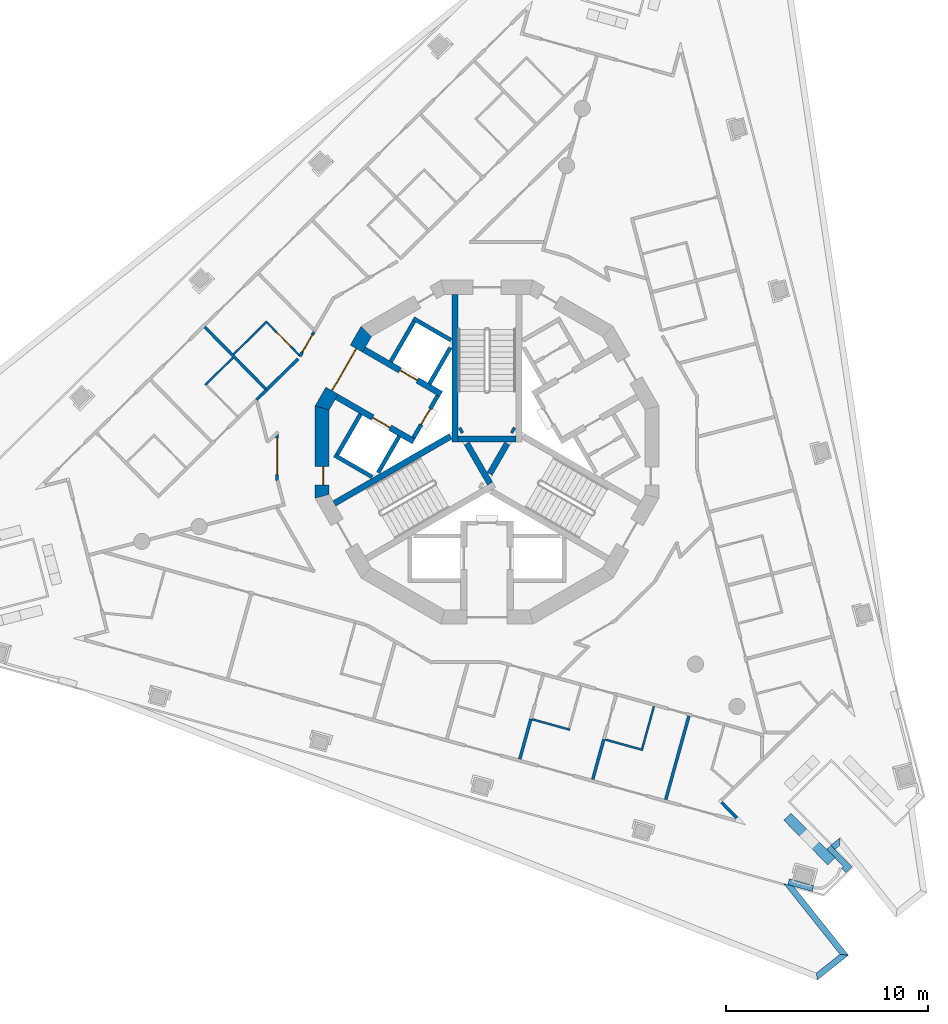
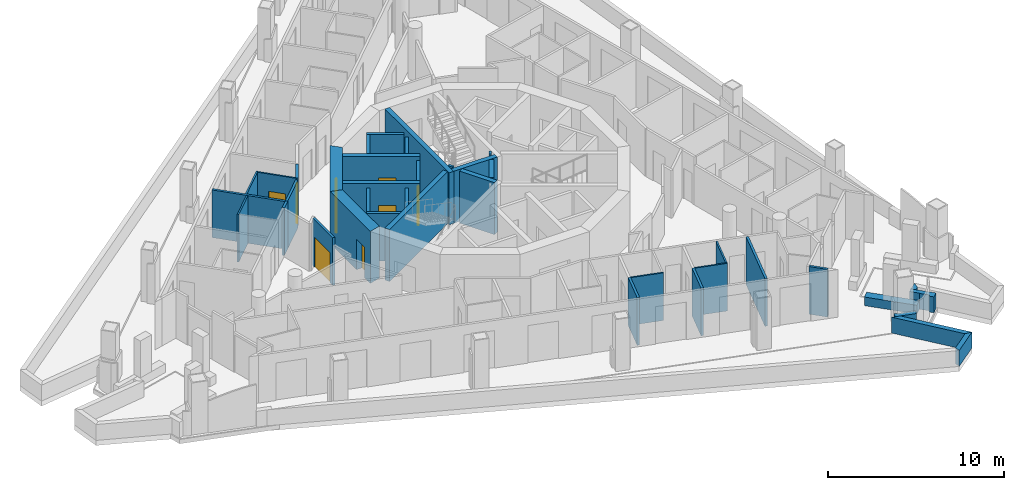
# One storey, part 4 of 14: 39 walls, 8 doors, 8 openings.
"""IFC4 building model written with IfcOpenShell, lengths in metres."""

from ifc_helpers import new_model, si_unit, direction, frame, frame_2d, origin, place, context, subcontext, project, spatial, polyline, rectangle, outline, extrude, material, layer, layer_set, type_object, element, fill, save


model = new_model("IFC4")

# Units and contexts
model_context = context("Model", 3, precision=1e-05, world=origin(), true_north=direction((0.0, 1.0)))
body_context = subcontext(model_context, "Body", "Model", "MODEL_VIEW")
ifc_project = project(units=[si_unit("LENGTHUNIT", "METRE"), si_unit("AREAUNIT", "SQUARE_METRE"), si_unit("VOLUMEUNIT", "CUBIC_METRE"), si_unit("PLANEANGLEUNIT", "RADIAN"), si_unit("MASSUNIT", "GRAM", prefix="KILO")], contexts=[model_context])

# Site, building, storey
site_placement = place(None, origin())
site = spatial("IfcSite", under=ifc_project, at=site_placement, CompositionType="ELEMENT")
building_placement = place(site_placement, origin())
building = spatial("IfcBuilding", under=site, at=building_placement, Name="Trine Commons Tower", CompositionType="ELEMENT")
storey_placement = place(building_placement, frame((0.0, 0.0, 234.89990234375)))
storey = spatial("IfcBuildingStorey", under=building, at=storey_placement, Name="L61", CompositionType="ELEMENT", Elevation=234.89990234375)

# Wall
ifc_material_1 = material(Name="Aluminium-framed insulated wall panel", Category="aluminium")
ifc_layer_1 = layer(ifc_material_1, 0.14990234375)
ifc_layer_set_1 = layer_set([ifc_layer_1], Name="Aluminium-framed insulated wall panel")
wall_type_1 = type_object("IfcWallType", Name="Glazed frame wall 150, EI 60", PredefinedType="SOLIDWALL", material=ifc_layer_set_1)
wall_1_placement = place(storey_placement, frame((91.510498046875, 45.2724609375, 0.0), z_axis=(0.0, 0.0, 1.0), x_axis=(0.700999978355, -0.71316129336, 0.0)))
element("IfcWall", 1, at=wall_1_placement, inside=storey, type_object=wall_type_1, Name="Glazed frame wall R8", PredefinedType="SOLIDWALL", context=body_context, shape_type="SweptSolid", body=[
    extrude(outline(polyline([(0.110107421875, 0.074951171875), (0.110107421875, -0.074951171875), (1.19580078125, -0.074951171875), (1.19580078125, 0.074951171875), (0.110107421875, 0.074951171875)])), origin(), (0.0, 0.0, 1.0), 3.300048828125),
])

# Wall, opening, door
ifc_material_2 = material(Name="Fire-rated gypsum shaft wall system")
ifc_layer_2 = layer(ifc_material_2, 0.199951171875)
ifc_layer_set_2 = layer_set([ifc_layer_2], Name="Fire-rated gypsum shaft wall system")
wall_type_2 = type_object("IfcWallType", Name="Lobby end wall 200 mm, EI 120", PredefinedType="PARTITIONING", material=ifc_layer_set_2)
wall_2_placement = place(storey_placement, frame((77.569091796875, 65.2890625, 0.0), z_axis=(0.0, 0.0, 1.0), x_axis=(-0.50012165622, -0.865955154139, 0.0)))
wall_2 = element("IfcWall", 2, at=wall_2_placement, inside=storey, type_object=wall_type_2, Name="Lobby end wall L61", PredefinedType="PARTITIONING", context=body_context, shape_type="SweptSolid", body=[
    extrude(rectangle(XDim=2.39990234375, YDim=0.199951171875, at=frame_2d((1.199951171875, 0.0))), origin(), (0.0, 0.0, 1.0), 3.300048828125),
])
opening_1_placement = place(wall_2_placement, frame((0.749755859375, 0.0, 0.0)))
opening_1 = element("IfcOpeningElement", 3, at=opening_1_placement, cuts=wall_2, Name="Opening K15.07", PredefinedType="OPENING", context=body_context, shape_type="SweptSolid", body=[
    extrude(rectangle(XDim=0.89990234375, YDim=2.10009765625, at=frame_2d((0.449951171875, 1.050048828125))), frame((0.0, 0.10986328125, 0.0), z_axis=(0.0, -1.0, 0.0), x_axis=(1.0, 0.0, 0.0)), (0.0, 0.0, 1.0), 0.219970703125),
])
ifc_material_3 = material(Name="Steel door leaf, fire-rated", Category="steel")
door_type_1 = type_object("IfcDoorType", Name="Riser access door, single leaf 900 x 2100, FD60", OperationType="SINGLE_SWING_LEFT", PredefinedType="DOOR", material=ifc_material_3)
door_1_placement = place(opening_1_placement, frame((0.89990234375, 0.0, 0.0), z_axis=(0.0, 0.0, 1.0), x_axis=(-1.0, 0.0, 0.0)))
door_1 = element("IfcDoor", 4, at=door_1_placement, inside=storey, type_object=door_type_1, Name="Riser door, Mechanical riser L61", OperationType="SINGLE_SWING_RIGHT", OverallHeight=2.10009765625, OverallWidth=0.89990234375, PredefinedType="DOOR", context=body_context, shape_type="SweptSolid", body=[
    extrude(rectangle(XDim=0.89990234375, YDim=2.10009765625, at=frame_2d((0.449951171875, 1.050048828125))), frame((0.0, 0.02490234375, 0.0), z_axis=(0.0, -1.0, 0.0), x_axis=(1.0, 0.0, 0.0)), (0.0, 0.0, 1.0), 0.050048828125),
])
fill(opening_1, door_1)

# Wall
ifc_material_4 = material(Name="Planter trough, precast concrete C40/50", Category="concrete")
ifc_layer_3 = layer(ifc_material_4, 0.5)
ifc_layer_set_3 = layer_set([ifc_layer_3], Name="Planter trough, precast concrete C40/50")
wall_type_3 = type_object("IfcWallType", Name="Planter trough 500x600", PredefinedType="PARAPET", material=ifc_layer_set_3)
wall_3_placement = place(storey_placement, frame((94.844970703125, 44.4833984375, 0.0), z_axis=(0.0, 0.0, 1.0), x_axis=(0.700857613291, -0.713301202784, 0.0)))
element("IfcWall", 5, at=wall_3_placement, inside=storey, type_object=wall_type_3, Name="Planter 9", PredefinedType="PARAPET", context=body_context, shape_type="SweptSolid", body=[
    extrude(rectangle(XDim=3.099853515625, YDim=0.5, at=frame_2d((1.5498046875, 0.0))), origin(), (0.0, 0.0, 1.0), 0.60009765625),
])

# Wall, opening, door
ifc_material_5 = material(Name="Concrete C50/60", Category="concrete")
ifc_layer_4 = layer(ifc_material_5, 0.300048828125)
ifc_layer_set_4 = layer_set([ifc_layer_4], Name="Concrete C50/60")
wall_type_4 = type_object("IfcWallType", Name="RC shear wall 300 mm, C50/60", PredefinedType="SHEAR", material=ifc_layer_set_4)
wall_4_placement = place(storey_placement, frame((76.381103515625, 63.031005859375, 0.0), z_axis=(0.0, 0.0, 1.0), x_axis=(-0.866059941101, 0.499940174841, 0.0)))
wall_4 = element("IfcWall", 6, at=wall_4_placement, inside=storey, type_object=wall_type_4, Name="Core cross wall SWC-01 L61", PredefinedType="SHEAR", context=body_context, shape_type="SweptSolid", body=[
    extrude(rectangle(XDim=4.400390625, YDim=0.300048828125, at=frame_2d((2.2001953125, 0.0))), origin(), (0.0, 0.0, 1.0), 3.60009765625),
])
opening_2_placement = place(wall_4_placement, frame((1.350341796875, 0.0, 0.0)))
opening_2 = element("IfcOpeningElement", 7, at=opening_2_placement, cuts=wall_4, Name="Opening LD7", PredefinedType="OPENING", context=body_context, shape_type="SweptSolid", body=[
    extrude(rectangle(XDim=1.0, YDim=2.10009765625, at=frame_2d((0.5, 1.050048828125))), frame((0.0, 0.159912109375, 0.0), z_axis=(0.0, -1.0, 0.0), x_axis=(1.0, 0.0, 0.0)), (0.0, 0.0, 1.0), 0.320068359375),
])
ifc_material_6 = material(Name="Stainless steel sliding door leaves", Category="steel")
door_type_2 = type_object("IfcDoorType", Name="Lift landing door, centre-opening sliding 1000 x 2100, FD90", OperationType="DOUBLE_DOOR_SLIDING", PredefinedType="DOOR", material=ifc_material_6)
door_2_placement = place(opening_2_placement, origin())
door_2 = element("IfcDoor", 8, at=door_2_placement, inside=storey, type_object=door_type_2, Name="Lift landing door HR3 L61", OperationType="DOUBLE_DOOR_SLIDING", OverallHeight=2.10009765625, OverallWidth=1.0, PredefinedType="DOOR", context=body_context, shape_type="SweptSolid", body=[
    extrude(rectangle(XDim=1.0, YDim=2.10009765625, at=frame_2d((0.5, 1.050048828125))), frame((0.0, 0.02490234375, 0.0), z_axis=(0.0, -1.0, 0.0), x_axis=(1.0, 0.0, 0.0)), (0.0, 0.0, 1.0), 0.050048828125),
])
fill(opening_2, door_2)

wall_5_placement = place(storey_placement, frame((77.73095703125, 65.368896484375, 0.0), z_axis=(0.0, 0.0, 1.0), x_axis=(-0.866035918664, 0.499981787252, 0.0)))
wall_5 = element("IfcWall", 9, at=wall_5_placement, inside=storey, type_object=wall_type_4, Name="Core cross wall SWC-02 L61", PredefinedType="SHEAR", context=body_context, shape_type="SweptSolid", body=[
    extrude(rectangle(XDim=4.400634765625, YDim=0.300048828125, at=frame_2d((2.2001953125, 0.0))), origin(), (0.0, 0.0, 1.0), 3.60009765625),
])
opening_3_placement = place(wall_5_placement, frame((1.3505859375, 0.0, 0.0)))
opening_3 = element("IfcOpeningElement", 10, at=opening_3_placement, cuts=wall_5, Name="Opening LD8", PredefinedType="OPENING", context=body_context, shape_type="SweptSolid", body=[
    extrude(rectangle(XDim=1.0, YDim=2.10009765625, at=frame_2d((0.5, 1.050048828125))), frame((0.0, 0.159912109375, 0.0), z_axis=(0.0, -1.0, 0.0), x_axis=(1.0, 0.0, 0.0)), (0.0, 0.0, 1.0), 0.320068359375),
])
door_3_placement = place(opening_3_placement, origin())
door_3 = element("IfcDoor", 11, at=door_3_placement, inside=storey, type_object=door_type_2, Name="Lift landing door HR4 L61", OperationType="DOUBLE_DOOR_SLIDING", OverallHeight=2.10009765625, OverallWidth=1.0, PredefinedType="DOOR", context=body_context, shape_type="SweptSolid", body=[
    extrude(rectangle(XDim=1.0, YDim=2.10009765625, at=frame_2d((0.5, 1.050048828125))), frame((0.0, 0.02490234375, 0.0), z_axis=(0.0, -1.0, 0.0), x_axis=(1.0, 0.0, 0.0)), (0.0, 0.0, 1.0), 0.050048828125),
])
fill(opening_3, door_3)

# Walls
wall_6_placement = place(storey_placement, frame((78.199951171875, 63.280029296875, 0.0), z_axis=(0.0, 0.0, 1.0), x_axis=(-0.866009627307, -0.500027324665, 0.0)))
element("IfcWall", 12, at=wall_6_placement, inside=storey, type_object=wall_type_4, Name="Core cross wall SWC-07 L61", PredefinedType="SHEAR", context=body_context, shape_type="SweptSolid", body=[
    extrude(rectangle(XDim=6.631591796875, YDim=0.300048828125, at=frame_2d((3.31591796875, 0.0))), origin(), (0.0, 0.0, 1.0), 3.60009765625),
])
wall_7_placement = place(storey_placement, frame((78.425048828125, 63.0009765625, 0.0), z_axis=(0.0, 0.0, 1.0), x_axis=(0.0, 1.0, 0.0)))
element("IfcWall", 13, at=wall_7_placement, inside=storey, type_object=wall_type_4, Name="Core cross wall SWC-08 L61", PredefinedType="SHEAR", context=body_context, shape_type="SweptSolid", body=[
    extrude(rectangle(XDim=7.299072265625, YDim=0.300048828125, at=frame_2d((3.6494140625, 0.0))), origin(), (0.0, 0.0, 1.0), 3.60009765625),
])
wall_8_placement = place(storey_placement, frame((78.779052734375, 63.614013671875, 0.0), z_axis=(0.0, 0.0, 1.0), x_axis=(-0.867737973955, -0.497021939713, 0.0)))
element("IfcWall", 14, at=wall_8_placement, inside=storey, type_object=wall_type_4, Name="Core cross wall SWC-09 L61", PredefinedType="SHEAR", context=body_context, shape_type="SweptSolid", body=[
    extrude(rectangle(XDim=0.14892578125, YDim=0.300048828125, at=frame_2d((0.074462890625, 0.0))), origin(), (0.0, 0.0, 1.0), 3.60009765625),
])
wall_9_placement = place(storey_placement, frame((79.0029296875, 62.926025390625, 0.0), z_axis=(0.0, 0.0, 1.0), x_axis=(0.499965247104, -0.866045467449, 0.0)))
element("IfcWall", 15, at=wall_9_placement, inside=storey, type_object=wall_type_4, Name="Core cross wall SWC-10 L61", PredefinedType="SHEAR", context=body_context, shape_type="SweptSolid", body=[
    extrude(rectangle(XDim=2.292236328125, YDim=0.300048828125, at=frame_2d((1.14599609375, 0.0))), origin(), (0.0, 0.0, 1.0), 3.60009765625),
])
wall_10_placement = place(storey_placement, frame((80.1298828125, 61.424072265625, 0.0), z_axis=(0.0, 0.0, 1.0), x_axis=(0.500014901547, 0.866016800201, 0.0)))
element("IfcWall", 16, at=wall_10_placement, inside=storey, type_object=wall_type_4, Name="Core cross wall SWC-12 L61", PredefinedType="SHEAR", context=body_context, shape_type="SweptSolid", body=[
    extrude(rectangle(XDim=1.734375, YDim=0.300048828125, at=frame_2d((0.8671875, 0.0))), origin(), (0.0, 0.0, 1.0), 3.60009765625),
])
wall_11_placement = place(storey_placement, frame((81.220947265625, 63.614013671875, 0.0), z_axis=(0.0, 0.0, 1.0), x_axis=(0.867737973955, -0.497021939713, 0.0)))
element("IfcWall", 17, at=wall_11_placement, inside=storey, type_object=wall_type_4, Name="Core cross wall SWC-15 L61", PredefinedType="SHEAR", context=body_context, shape_type="SweptSolid", body=[
    extrude(rectangle(XDim=0.14892578125, YDim=0.300048828125, at=frame_2d((0.074462890625, 0.0))), origin(), (0.0, 0.0, 1.0), 3.60009765625),
])
wall_12_placement = place(storey_placement, frame((81.425048828125, 63.15087890625, 0.0), z_axis=(0.0, 0.0, 1.0), x_axis=(-1.0, 0.0, 0.0)))
element("IfcWall", 18, at=wall_12_placement, inside=storey, type_object=wall_type_4, Name="Core cross wall SWC-16 L61", PredefinedType="SHEAR", context=body_context, shape_type="SweptSolid", body=[
    extrude(rectangle(XDim=2.85009765625, YDim=0.300048828125, at=frame_2d((1.425048828125, 0.0))), origin(), (0.0, 0.0, 1.0), 3.60009765625),
])

# Wall, opening, door
ifc_layer_5 = layer(ifc_material_5, 0.699951171875)
ifc_layer_set_5 = layer_set([ifc_layer_5], Name="Concrete C50/60")
wall_type_5 = type_object("IfcWallType", Name="RC shear wall 700 mm, C50/60", PredefinedType="SHEAR", material=ifc_layer_set_5)
wall_13_placement = place(storey_placement, frame((74.08056640625, 68.547607421875, 0.0), z_axis=(0.0, 0.0, 1.0), x_axis=(-0.499983800959, -0.866034756103, 0.0)))
wall_13 = element("IfcWall", 19, at=wall_13_placement, inside=storey, type_object=wall_type_5, Name="Core wall CWG-06 L61", PredefinedType="SHEAR", context=body_context, shape_type="SweptSolid", body=[
    extrude(outline(polyline([(0.0, -0.35009765625), (4.55517578125, -0.35009765625), (4.36767578125, 0.35009765625), (0.1875, 0.35009765625), (0.0, -0.35009765625)])), origin(), (0.0, 0.0, 1.0), 3.60009765625),
])
opening_4_placement = place(wall_13_placement, frame((1.077392578125, 0.0, 0.0)))
opening_4 = element("IfcOpeningElement", 20, at=opening_4_placement, cuts=wall_13, Name="Opening K15.06", PredefinedType="OPENING", context=body_context, shape_type="SweptSolid", body=[
    extrude(rectangle(XDim=2.39990234375, YDim=2.10009765625, at=frame_2d((1.199951171875, 1.050048828125))), frame((0.0, 0.35986328125, 0.0), z_axis=(0.0, -1.0, 0.0), x_axis=(1.0, 0.0, 0.0)), (0.0, 0.0, 1.0), 0.719970703125),
])
ifc_material_7 = material(Name="Steel door leaves, fire-rated", Category="steel")
door_type_3 = type_object("IfcDoorType", Name="Lobby door, double leaf 2400 x 2100, FD60", OperationType="DOUBLE_DOOR_SINGLE_SWING", PredefinedType="DOOR", material=ifc_material_7)
door_4_placement = place(opening_4_placement, origin())
door_4 = element("IfcDoor", 21, at=door_4_placement, inside=storey, type_object=door_type_3, Name="Lobby door, Passenger lift lobby B L61", OperationType="DOUBLE_DOOR_SINGLE_SWING", OverallHeight=2.10009765625, OverallWidth=2.39990234375, PredefinedType="DOOR", context=body_context, shape_type="SweptSolid", body=[
    extrude(rectangle(XDim=2.39990234375, YDim=2.10009765625, at=frame_2d((1.199951171875, 1.050048828125))), frame((0.0, 0.02490234375, 0.0), z_axis=(0.0, -1.0, 0.0), x_axis=(1.0, 0.0, 0.0)), (0.0, 0.0, 1.0), 0.050048828125),
])
fill(opening_4, door_4)

wall_14_placement = place(storey_placement, frame((71.849853515625, 64.777587890625, 0.0), z_axis=(0.0, 0.0, 1.0), x_axis=(0.0, -1.0, 0.0)))
wall_14 = element("IfcWall", 22, at=wall_14_placement, inside=storey, type_object=wall_type_5, Name="Core wall CWG-07 L61", PredefinedType="SHEAR", context=body_context, shape_type="SweptSolid", body=[
    extrude(outline(polyline([(0.0, -0.35009765625), (4.55517578125, -0.35009765625), (4.36767578125, 0.35009765625), (0.1875, 0.35009765625), (0.0, -0.35009765625)])), origin(), (0.0, 0.0, 1.0), 3.60009765625),
])
opening_5_placement = place(wall_14_placement, frame((2.99169921875, 0.0, 0.0)))
opening_5 = element("IfcOpeningElement", 23, at=opening_5_placement, cuts=wall_14, Name="Opening K15.16", PredefinedType="OPENING", context=body_context, shape_type="SweptSolid", body=[
    extrude(rectangle(XDim=0.89990234375, YDim=2.10009765625, at=frame_2d((0.449951171875, 1.050048828125))), frame((0.0, 0.35986328125, 0.0), z_axis=(0.0, -1.0, 0.0), x_axis=(1.0, 0.0, 0.0)), (0.0, 0.0, 1.0), 0.719970703125),
])
door_type_4 = type_object("IfcDoorType", Name="Core room door, single leaf 900 x 2100, FD30S", OperationType="SINGLE_SWING_LEFT", PredefinedType="DOOR", material=ifc_material_3)
door_5_placement = place(opening_5_placement, origin())
door_5 = element("IfcDoor", 24, at=door_5_placement, inside=storey, type_object=door_type_4, Name="Door to Pantry L61", OperationType="SINGLE_SWING_RIGHT", OverallHeight=2.10009765625, OverallWidth=0.89990234375, PredefinedType="DOOR", context=body_context, shape_type="SweptSolid", body=[
    extrude(rectangle(XDim=0.89990234375, YDim=2.10009765625, at=frame_2d((0.449951171875, 1.050048828125))), frame((0.0, 0.0751953125, 0.0), z_axis=(0.0, -1.0, 0.0), x_axis=(1.0, 0.0, 0.0)), (0.0, 0.0, 1.0), 0.050048828125),
])
fill(opening_5, door_5)

# Walls
ifc_layer_6 = layer(ifc_material_2, 0.199951171875)
ifc_layer_set_6 = layer_set([ifc_layer_6], Name="Fire-rated gypsum shaft wall system")
wall_type_6 = type_object("IfcWallType", Name="Shaft wall 200 mm, EI 120", PredefinedType="PARTITIONING", material=ifc_layer_set_6)
wall_15_placement = place(storey_placement, frame((73.7509765625, 64.3759765625, 0.0), z_axis=(0.0, 0.0, 1.0), x_axis=(-0.500136062276, -0.86594683394, 0.0)))
element("IfcWall", 25, at=wall_15_placement, inside=storey, type_object=wall_type_6, Name="Shaft wall L61", PredefinedType="PARTITIONING", context=body_context, shape_type="SweptSolid", body=[
    extrude(rectangle(XDim=2.299072265625, YDim=0.199951171875, at=frame_2d((1.1494140625, 0.0))), origin(), (0.0, 0.0, 1.0), 3.300048828125),
])
wall_16_placement = place(storey_placement, frame((74.324951171875, 61.27392578125, 0.0), z_axis=(0.0, 0.0, 1.0), x_axis=(-0.866102336459, 0.499866725018, 0.0)))
element("IfcWall", 26, at=wall_16_placement, inside=storey, type_object=wall_type_6, Name="Shaft wall L61", PredefinedType="PARTITIONING", context=body_context, shape_type="SweptSolid", body=[
    extrude(rectangle(XDim=2.1484375, YDim=0.199951171875, at=frame_2d((1.07421875, 0.0))), origin(), (0.0, 0.0, 1.0), 3.300048828125),
])
wall_17_placement = place(storey_placement, frame((75.2509765625, 66.97412109375, 0.0), z_axis=(0.0, 0.0, 1.0), x_axis=(0.500136062276, 0.86594683394, 0.0)))
element("IfcWall", 27, at=wall_17_placement, inside=storey, type_object=wall_type_6, Name="Shaft wall L61", PredefinedType="PARTITIONING", context=body_context, shape_type="SweptSolid", body=[
    extrude(rectangle(XDim=2.299072265625, YDim=0.199951171875, at=frame_2d((1.1494140625, 0.0))), origin(), (0.0, 0.0, 1.0), 3.300048828125),
])
wall_18_placement = place(storey_placement, frame((75.656005859375, 63.27587890625, 0.0), z_axis=(0.0, 0.0, 1.0), x_axis=(-0.500271688072, -0.86586848777, 0.0)))
element("IfcWall", 28, at=wall_18_placement, inside=storey, type_object=wall_type_6, Name="Shaft wall L61", PredefinedType="PARTITIONING", context=body_context, shape_type="SweptSolid", body=[
    extrude(rectangle(XDim=2.064697265625, YDim=0.199951171875, at=frame_2d((1.0322265625, 0.0))), origin(), (0.0, 0.0, 1.0), 3.300048828125),
])
wall_19_placement = place(storey_placement, frame((77.156005859375, 65.8740234375, 0.0), z_axis=(0.0, 0.0, 1.0), x_axis=(0.499865770674, 0.866102887253, 0.0)))
element("IfcWall", 29, at=wall_19_placement, inside=storey, type_object=wall_type_6, Name="Shaft wall L61", PredefinedType="PARTITIONING", context=body_context, shape_type="SweptSolid", body=[
    extrude(rectangle(XDim=2.064453125, YDim=0.199951171875, at=frame_2d((1.0322265625, 0.0))), origin(), (0.0, 0.0, 1.0), 3.300048828125),
])
wall_20_placement = place(storey_placement, frame((78.22509765625, 68.028076171875, 0.0), z_axis=(0.0, 0.0, 1.0), x_axis=(-0.866130725101, 0.499817533742, 0.0)))
element("IfcWall", 30, at=wall_20_placement, inside=storey, type_object=wall_type_6, Name="Shaft wall L61", PredefinedType="PARTITIONING", context=body_context, shape_type="SweptSolid", body=[
    extrude(rectangle(XDim=2.148681640625, YDim=0.199951171875, at=frame_2d((1.07421875, 0.0))), origin(), (0.0, 0.0, 1.0), 3.300048828125),
])
ifc_material_8 = material(Name="Limestone, honed", Category="masonry")
ifc_layer_7 = layer(ifc_material_8, 0.300048828125)
ifc_layer_set_7 = layer_set([ifc_layer_7], Name="Limestone, honed")
wall_type_7 = type_object("IfcWallType", Name="Stone parapet 300", PredefinedType="PARAPET", material=ifc_layer_set_7)
wall_21_placement = place(storey_placement, origin())
element("IfcWall", 31, at=wall_21_placement, inside=storey, type_object=wall_type_7, Name="Sliver roof parapet L60 3.2", PredefinedType="PARAPET", context=body_context, shape_type="SweptSolid", body=[
    extrude(outline(polyline([(96.325927734375, 36.41064453125), (97.86328125, 37.63330078125), (97.441650390625, 37.681396484375), (96.27490234375, 36.75341796875), (96.325927734375, 36.41064453125)])), origin(), (0.0, 0.0, 1.0), 1.10009765625),
])
wall_22_placement = place(storey_placement, origin())
element("IfcWall", 32, at=wall_22_placement, inside=storey, type_object=wall_type_7, Name="Sliver roof parapet L60 3.3", PredefinedType="PARAPET", context=body_context, shape_type="SweptSolid", body=[
    extrude(outline(polyline([(97.86328125, 37.63330078125), (95.15087890625, 41.04296875), (94.6591796875, 41.179443359375), (97.441650390625, 37.681396484375), (97.86328125, 37.63330078125)])), origin(), (0.0, 0.0, 1.0), 1.10009765625),
])
wall_23_placement = place(storey_placement, origin())
element("IfcWall", 33, at=wall_23_placement, inside=storey, type_object=wall_type_7, Name="Sliver roof parapet extension L60 3.X2", PredefinedType="PARAPET", context=body_context, shape_type="SweptSolid", body=[
    extrude(outline(polyline([(96.06640625, 40.7890625), (96.146484375, 41.078125), (94.942138671875, 41.412353515625), (94.86181640625, 41.123291015625), (96.053466796875, 40.792724609375), (96.06640625, 40.7890625)])), origin(), (0.0, 0.0, 1.0), 1.10009765625),
])
wall_24_placement = place(storey_placement, origin())
element("IfcWall", 34, at=wall_24_placement, inside=storey, type_object=wall_type_7, Name="Sliver roof parapet L60 6.2", PredefinedType="PARAPET", context=body_context, shape_type="SweptSolid", body=[
    extrude(outline(polyline([(97.20068359375, 42.8564453125), (97.40966796875, 43.022705078125), (97.457763671875, 43.444091796875), (96.9892578125, 43.071533203125), (97.20068359375, 42.8564453125)])), origin(), (0.0, 0.0, 1.0), 1.10009765625),
])
wall_25_placement = place(storey_placement, origin())
element("IfcWall", 35, at=wall_25_placement, inside=storey, type_object=wall_type_7, Name="Sliver roof parapet extension L60 6.X2", PredefinedType="PARAPET", context=body_context, shape_type="SweptSolid", body=[
    extrude(outline(polyline([(97.355224609375, 42.698974609375), (96.990478515625, 43.0703125), (96.7978515625, 42.881103515625), (97.224365234375, 42.447021484375), (97.202880859375, 42.426025390625), (97.609375, 42.012451171875), (97.52978515625, 41.93408203125), (97.739990234375, 41.72021484375), (97.800537109375, 41.77978515625), (98.01806640625, 41.993408203125), (98.014892578125, 42.02783203125), (97.355224609375, 42.698974609375)])), origin(), (0.0, 0.0, 1.0), 1.10009765625),
])
ifc_material_9 = material(Name="Gypsum plasterboard on steel stud", Category="steel")
ifc_layer_8 = layer(ifc_material_9, 0.14990234375)
ifc_layer_set_8 = layer_set([ifc_layer_8], Name="Gypsum plasterboard on steel stud")
wall_type_8 = type_object("IfcWallType", Name="Unit and corridor wall 150 mm, EI 60", PredefinedType="PARTITIONING", material=ifc_layer_set_8)
wall_26_placement = place(storey_placement, frame((66.051025390625, 68.6845703125, 0.0), z_axis=(0.0, 0.0, 1.0), x_axis=(0.700808262034, -0.713349689748, 0.0)))
element("IfcWall", 36, at=wall_26_placement, inside=storey, type_object=wall_type_8, Name="Partition 013", PredefinedType="PARTITIONING", context=body_context, shape_type="SweptSolid", body=[
    extrude(rectangle(XDim=4.360595703125, YDim=0.14990234375, at=frame_2d((2.18017578125, 0.0))), origin(), (0.0, 0.0, 1.0), 3.300048828125),
])
wall_27_placement = place(storey_placement, frame((68.612060546875, 65.091064453125, 0.0), z_axis=(0.0, 0.0, 1.0), x_axis=(0.712699057128, 0.701469923781, 0.0)))
element("IfcWall", 37, at=wall_27_placement, inside=storey, type_object=wall_type_8, Name="Partition 020", PredefinedType="PARTITIONING", context=body_context, shape_type="SweptSolid", body=[
    extrude(rectangle(XDim=0.69580078125, YDim=0.14990234375, at=frame_2d((0.347900390625, 0.0))), origin(), (0.0, 0.0, 1.0), 3.300048828125),
])
wall_28_placement = place(storey_placement, frame((69.10205078125, 65.572998046875, 0.0), z_axis=(0.0, 0.0, 1.0), x_axis=(0.713007842216, 0.701156057478, 0.0)))
element("IfcWall", 38, at=wall_28_placement, inside=storey, type_object=wall_type_8, Name="Partition 023", PredefinedType="PARTITIONING", context=body_context, shape_type="SweptSolid", body=[
    extrude(rectangle(XDim=2.18359375, YDim=0.14990234375, at=frame_2d((1.091796875, 0.0))), origin(), (0.0, 0.0, 1.0), 3.300048828125),
])

# Wall, opening, door
wall_29_placement = place(storey_placement, frame((69.625, 61.10498046875, 0.0), z_axis=(0.0, 0.0, 1.0), x_axis=(0.0, 1.0, 0.0)))
wall_29 = element("IfcWall", 39, at=wall_29_placement, inside=storey, type_object=wall_type_8, Name="Partition 027", PredefinedType="PARTITIONING", context=body_context, shape_type="SweptSolid", body=[
    extrude(rectangle(XDim=2.27197265625, YDim=0.14990234375, at=frame_2d((1.135986328125, 0.0))), origin(), (0.0, 0.0, 1.0), 3.300048828125),
])
opening_6_placement = place(wall_29_placement, frame((0.28271484375, 0.0, 0.0)))
opening_6 = element("IfcOpeningElement", 40, at=opening_6_placement, cuts=wall_29, Name="Opening D-7A03", PredefinedType="OPENING", context=body_context, shape_type="SweptSolid", body=[
    extrude(rectangle(XDim=1.800048828125, YDim=2.10009765625, at=frame_2d((0.89990234375, 1.050048828125))), frame((0.0, 0.0849609375, 0.0), z_axis=(0.0, -1.0, 0.0), x_axis=(1.0, 0.0, 0.0)), (0.0, 0.0, 1.0), 0.169921875),
])
ifc_material_10 = material(Name="Timber fire door set", Category="wood")
door_type_5 = type_object("IfcDoorType", Name="Cluster entrance door 1800 x 2100, double leaf, FD30S", OperationType="DOUBLE_DOOR_DOUBLE_SWING", PredefinedType="DOOR", material=ifc_material_10)
door_6_placement = place(opening_6_placement, origin())
door_6 = element("IfcDoor", 41, at=door_6_placement, inside=storey, type_object=door_type_5, Name="Door D-7A03", OperationType="DOUBLE_DOOR_DOUBLE_SWING", OverallHeight=2.10009765625, OverallWidth=1.800048828125, PredefinedType="DOOR", context=body_context, shape_type="SweptSolid", body=[
    extrude(rectangle(XDim=1.800048828125, YDim=2.10009765625, at=frame_2d((0.89990234375, 1.050048828125))), frame((0.0, 0.02490234375, 0.0), z_axis=(0.0, -1.0, 0.0), x_axis=(1.0, 0.0, 0.0)), (0.0, 0.0, 1.0), 0.050048828125),
])
fill(opening_6, door_6)

wall_30_placement = place(storey_placement, frame((70.758056640625, 67.242919921875, 0.0), z_axis=(0.0, 0.0, 1.0), x_axis=(0.49979916758, 0.866141323391, 0.0)))
wall_30 = element("IfcWall", 42, at=wall_30_placement, inside=storey, type_object=wall_type_8, Name="Partition 029", PredefinedType="PARTITIONING", context=body_context, shape_type="SweptSolid", body=[
    extrude(rectangle(XDim=1.37744140625, YDim=0.14990234375, at=frame_2d((0.688720703125, 0.0))), origin(), (0.0, 0.0, 1.0), 3.300048828125),
])
opening_7_placement = place(wall_30_placement, frame((0.2275390625, 0.0, 0.0)))
opening_7 = element("IfcOpeningElement", 43, at=opening_7_placement, cuts=wall_30, Name="Opening D-7A06", PredefinedType="OPENING", context=body_context, shape_type="SweptSolid", body=[
    extrude(rectangle(XDim=1.0, YDim=2.10009765625, at=frame_2d((0.5, 1.050048828125))), frame((0.0, 0.0849609375, 0.0), z_axis=(0.0, -1.0, 0.0), x_axis=(1.0, 0.0, 0.0)), (0.0, 0.0, 1.0), 0.169921875),
])
door_type_6 = type_object("IfcDoorType", Name="Bedroom door 1000 x 2100, FD30S", OperationType="NOTDEFINED", PredefinedType="DOOR", material=ifc_material_10)
door_7_placement = place(opening_7_placement, origin())
door_7 = element("IfcDoor", 44, at=door_7_placement, inside=storey, type_object=door_type_6, Name="Door D-7A06", OperationType="SINGLE_SWING_RIGHT", OverallHeight=2.10009765625, OverallWidth=1.0, PredefinedType="DOOR", context=body_context, shape_type="SweptSolid", body=[
    extrude(rectangle(XDim=1.0, YDim=2.10009765625, at=frame_2d((0.5, 1.050048828125))), frame((0.0, 0.02490234375, 0.0), z_axis=(0.0, -1.0, 0.0), x_axis=(1.0, 0.0, 0.0)), (0.0, 0.0, 1.0), 0.050048828125),
])
fill(opening_7, door_7)

# Walls
for number, where, z_axis, x_axis, name in (
    (45, (81.61865234375, 47.327392578125, 0.0), (0.0, 0.0, 1.0), (0.267075474737, 0.963675614921, 0.0), "Partition 057"),
    (46, (85.2255859375, 46.327392578125, 0.0), (0.0, 0.0, 1.0), (0.267075474737, 0.963675614921, 0.0), "Partition 072"),
):
    element("IfcWall", number, at=place(storey_placement, frame(where, z_axis=z_axis, x_axis=x_axis)), inside=storey, type_object=wall_type_8, Name=name, PredefinedType="PARTITIONING", context=body_context, shape_type="SweptSolid", body=[
        extrude(rectangle(XDim=2.060546875, YDim=0.14990234375, at=frame_2d((1.0302734375, 0.0))), origin(), (0.0, 0.0, 1.0), 3.300048828125),
    ])
wall_31_placement = place(storey_placement, frame((88.832763671875, 45.327392578125, 0.0), z_axis=(0.0, 0.0, 1.0), x_axis=(0.267044344438, 0.963684241909, 0.0)))
element("IfcWall", 47, at=wall_31_placement, inside=storey, type_object=wall_type_8, Name="Partition 090", PredefinedType="PARTITIONING", context=body_context, shape_type="SweptSolid", body=[
    extrude(rectangle(XDim=4.284912109375, YDim=0.14990234375, at=frame_2d((2.142578125, 0.0))), origin(), (0.0, 0.0, 1.0), 3.300048828125),
])
ifc_layer_9 = layer(ifc_material_9, 0.10009765625)
ifc_layer_set_9 = layer_set([ifc_layer_9], Name="Gypsum plasterboard on steel stud")
wall_type_9 = type_object("IfcWallType", Name="Unit partition 100 mm, no rating", PredefinedType="PARTITIONING", material=ifc_layer_set_9)
wall_32_placement = place(storey_placement, frame((66.068359375, 65.81298828125, 0.0), z_axis=(0.0, 0.0, 1.0), x_axis=(0.713230757354, 0.700929302258, 0.0)))
element("IfcWall", 48, at=wall_32_placement, inside=storey, type_object=wall_type_9, Name="Partition 014", PredefinedType="PARTITIONING", context=body_context, shape_type="SweptSolid", body=[
    extrude(rectangle(XDim=1.925048828125, YDim=0.10009765625, at=frame_2d((0.96240234375, 0.0))), origin(), (0.0, 0.0, 1.0), 3.300048828125),
])
wall_33_placement = place(storey_placement, frame((67.478515625, 67.338623046875, 0.0), z_axis=(0.0, 0.0, 1.0), x_axis=(0.713275639023, 0.700883629982, 0.0)))
element("IfcWall", 49, at=wall_33_placement, inside=storey, type_object=wall_type_9, Name="Partition 017", PredefinedType="PARTITIONING", context=body_context, shape_type="SweptSolid", body=[
    extrude(rectangle(XDim=2.32470703125, YDim=0.10009765625, at=frame_2d((1.162353515625, 0.0))), origin(), (0.0, 0.0, 1.0), 3.300048828125),
])

# Wall, opening, door
wall_34_placement = place(storey_placement, frame((69.135986328125, 68.8974609375, 0.0), z_axis=(0.0, 0.0, 1.0), x_axis=(0.701179250169, -0.712985034297, 0.0)))
wall_34 = element("IfcWall", 50, at=wall_34_placement, inside=storey, type_object=wall_type_9, Name="Partition 022", PredefinedType="PARTITIONING", context=body_context, shape_type="SweptSolid", body=[
    extrude(rectangle(XDim=2.316162109375, YDim=0.10009765625, at=frame_2d((1.158203125, 0.0))), origin(), (0.0, 0.0, 1.0), 3.300048828125),
])
opening_8_placement = place(wall_34_placement, frame((0.657958984375, 0.0, 0.0)))
opening_8 = element("IfcOpeningElement", 51, at=opening_8_placement, cuts=wall_34, Name="Opening D-7A30", PredefinedType="OPENING", context=body_context, shape_type="SweptSolid", body=[
    extrude(rectangle(XDim=1.0, YDim=2.10009765625, at=frame_2d((0.5, 1.050048828125))), frame((0.0, 0.06005859375, 0.0), z_axis=(0.0, -1.0, 0.0), x_axis=(1.0, 0.0, 0.0)), (0.0, 0.0, 1.0), 0.1201171875),
])
ifc_material_11 = material(Name="Painted timber", Category="wood")
door_type_7 = type_object("IfcDoorType", Name="Internal door 1000 x 2100, NOT RATED", OperationType="NOTDEFINED", PredefinedType="DOOR", material=ifc_material_11)
door_8_placement = place(opening_8_placement, origin())
door_8 = element("IfcDoor", 52, at=door_8_placement, inside=storey, type_object=door_type_7, Name="Door D-7A30", OperationType="SINGLE_SWING_LEFT", OverallHeight=2.10009765625, OverallWidth=1.0, PredefinedType="DOOR", context=body_context, shape_type="SweptSolid", body=[
    extrude(rectangle(XDim=1.0, YDim=2.10009765625, at=frame_2d((0.5, 1.050048828125))), frame((0.0, 0.02490234375, 0.0), z_axis=(0.0, -1.0, 0.0), x_axis=(1.0, 0.0, 0.0)), (0.0, 0.0, 1.0), 0.050048828125),
])
fill(opening_8, door_8)

# Walls
wall_35_placement = place(storey_placement, frame((82.2412109375, 49.29296875, 0.0), z_axis=(0.0, 0.0, 1.0), x_axis=(0.963634107358, -0.26722519929, 0.0)))
element("IfcWall", 53, at=wall_35_placement, inside=storey, type_object=wall_type_9, Name="Partition 060", PredefinedType="PARTITIONING", context=body_context, shape_type="SweptSolid", body=[
    extrude(rectangle(XDim=1.925048828125, YDim=0.10009765625, at=frame_2d((0.96240234375, 0.0))), origin(), (0.0, 0.0, 1.0), 3.300048828125),
])
wall_36_placement = place(storey_placement, frame((85.848388671875, 48.29296875, 0.0), z_axis=(0.0, 0.0, 1.0), x_axis=(0.963625049046, -0.267257862095, 0.0)))
element("IfcWall", 54, at=wall_36_placement, inside=storey, type_object=wall_type_9, Name="Partition 075", PredefinedType="PARTITIONING", context=body_context, shape_type="SweptSolid", body=[
    extrude(rectangle(XDim=1.9248046875, YDim=0.10009765625, at=frame_2d((0.96240234375, 0.0))), origin(), (0.0, 0.0, 1.0), 3.300048828125),
])
wall_37_placement = place(storey_placement, frame((87.66845703125, 47.840087890625, 0.0), z_axis=(0.0, 0.0, 1.0), x_axis=(0.26738911175, 0.96358863781, 0.0)))
element("IfcWall", 55, at=wall_37_placement, inside=storey, type_object=wall_type_9, Name="Partition 083", PredefinedType="PARTITIONING", context=body_context, shape_type="SweptSolid", body=[
    extrude(rectangle(XDim=2.1748046875, YDim=0.10009765625, at=frame_2d((1.08740234375, 0.0))), origin(), (0.0, 0.0, 1.0), 3.300048828125),
])

save(model, "model.ifc")
